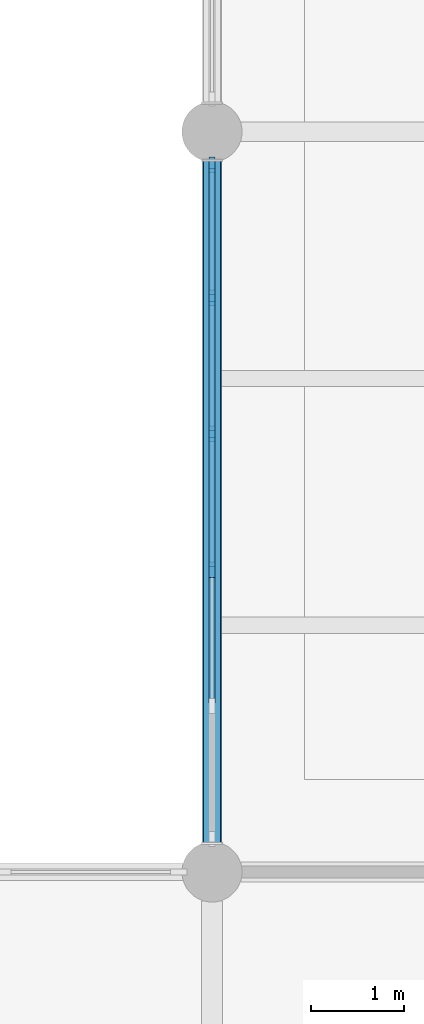
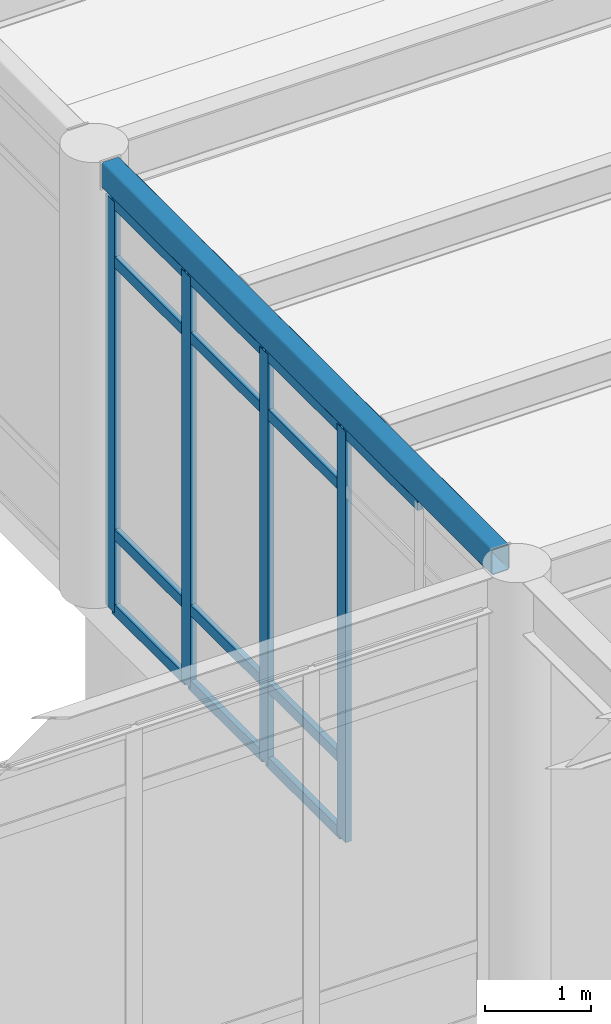
# One storey, part 30 of 138: 17 members, 1 beam, 1 element without a shape of its own.
"""IFC4 building model written with IfcOpenShell, lengths in metres."""

from ifc_helpers import new_model, si_unit, direction, frame, origin, origin_2d, place, context, subcontext, project, spatial, rectangle, hollow_rectangle, extrude, material, layer, layer_set, material_profile, profile_set, type_object, element, aggregate, save


model = new_model("IFC4")

# Units and contexts
model_context = context("Model", 3, precision=1e-05, world=origin(), true_north=direction((0.0, 1.0)))
body_context = subcontext(model_context, "Body", "Model", "MODEL_VIEW")
ifc_project = project(units=[si_unit("LENGTHUNIT", "METRE"), si_unit("AREAUNIT", "SQUARE_METRE"), si_unit("VOLUMEUNIT", "CUBIC_METRE"), si_unit("PLANEANGLEUNIT", "RADIAN"), si_unit("MASSUNIT", "GRAM", prefix="KILO")], contexts=[model_context])

# Site, building, storey
site_placement = place(None, origin())
site = spatial("IfcSite", under=ifc_project, at=site_placement, CompositionType="ELEMENT")
building_placement = place(site_placement, origin())
building = spatial("IfcBuilding", under=site, at=building_placement, Name="Kranzveld Transit Interchange", CompositionType="ELEMENT")
storey_placement = place(building_placement, origin())
storey = spatial("IfcBuildingStorey", under=building, at=storey_placement, Name="L00", CompositionType="ELEMENT", Elevation=0.0)

# Curtain wall, members
ifc_material_1 = material(Name="Bronze-anodised thermally broken aluminium", Category="aluminium")
ifc_layer = layer(ifc_material_1, 0.1650390625)
ifc_layer_set = layer_set([ifc_layer], Name="Bronze-anodised thermally broken aluminium")
curtain_wall_type = type_object("IfcCurtainWallType", Name="Sunny Court Arcade Curtain Wall CW-2", PredefinedType="USERDEFINED", material=ifc_layer_set)
curtain_wall_placement = place(storey_placement, origin())
curtain_wall = element("IfcCurtainWall", 1, at=curtain_wall_placement, inside=storey, type_object=curtain_wall_type, Name="L00 Curtain Wall 08/H-08/J", ObjectType="CURTAIN WALL", PredefinedType="USERDEFINED")
ifc_material_2 = material(Name="Bronze-anodised thermally broken aluminium", Category="aluminium")
ifc_material_profile_1 = material_profile(ifc_material_2, rectangle(XDim=0.06494140625, YDim=0.1650390625, at=origin_2d()), Name="ALU MULLION 65x165")
ifc_profile_set_1 = profile_set([ifc_material_profile_1], Name="Bronze-anodised thermally broken aluminium")
member_type_1 = type_object("IfcMemberType", Name="Curtain Wall Mullion 65x165 Alu", PredefinedType="MULLION", material=ifc_profile_set_1)
member_1_placement = place(storey_placement, frame((58.800048828125, 59.264892578125, 0.0), z_axis=(0.0, 0.0, 1.0), x_axis=(-1.0, 0.0, 0.0)))
member_1 = element("IfcMember", 2, at=member_1_placement, type_object=member_type_1, Name="CW-2 mullion 3", PredefinedType="MULLION", context=body_context, shape_type="SweptSolid", body=[
    extrude(rectangle(XDim=0.06494140625, YDim=0.1650390625, at=origin_2d()), origin(), (0.0, 0.0, 1.0), 4.747314453125),
])
member_2_placement = place(storey_placement, frame((58.800048828125, 60.735107421875, 0.0), z_axis=(0.0, 0.0, 1.0), x_axis=(-1.0, 0.0, 0.0)))
member_2 = element("IfcMember", 3, at=member_2_placement, type_object=member_type_1, Name="CW-2 mullion 4", PredefinedType="MULLION", context=body_context, shape_type="SweptSolid", body=[
    extrude(rectangle(XDim=0.06494140625, YDim=0.1650390625, at=origin_2d()), origin(), (0.0, 0.0, 1.0), 4.747314453125),
])
member_3_placement = place(storey_placement, frame((58.800048828125, 62.205078125, 0.0), z_axis=(0.0, 0.0, 1.0), x_axis=(-1.0, 0.0, 0.0)))
member_3 = element("IfcMember", 4, at=member_3_placement, type_object=member_type_1, Name="CW-2 mullion 5", PredefinedType="MULLION", context=body_context, shape_type="SweptSolid", body=[
    extrude(rectangle(XDim=0.06494140625, YDim=0.1650390625, at=origin_2d()), origin(), (0.0, 0.0, 1.0), 4.747314453125),
])
member_4_placement = place(storey_placement, frame((58.800048828125, 63.642578125, 0.0), z_axis=(0.0, 0.0, 1.0), x_axis=(-1.0, 0.0, 0.0)))
member_4 = element("IfcMember", 5, at=member_4_placement, type_object=member_type_1, Name="CW-2 mullion 6", PredefinedType="MULLION", context=body_context, shape_type="SweptSolid", body=[
    extrude(rectangle(XDim=0.06494140625, YDim=0.1650390625, at=origin_2d()), origin(), (0.0, 0.0, 1.0), 4.747314453125),
])
ifc_material_3 = material(Name="Bronze-anodised thermally broken aluminium", Category="aluminium")
ifc_material_profile_2 = material_profile(ifc_material_3, rectangle(XDim=0.06005859375, YDim=0.125, at=origin_2d()), Name="ALU TRANSOM 60x125")
ifc_profile_set_2 = profile_set([ifc_material_profile_2], Name="Bronze-anodised thermally broken aluminium")
member_type_2 = type_object("IfcMemberType", Name="Curtain Wall Transom 60x125 Alu", PredefinedType="USERDEFINED", material=ifc_profile_set_2)
member_5_placement = place(storey_placement, frame((58.800048828125, 57.827392578125, 4.71728515625), z_axis=(0.0, 1.0, 0.0), x_axis=(-1.0, 0.0, 0.0)))
member_5 = element("IfcMember", 6, at=member_5_placement, type_object=member_type_2, Name="CW-2 transom 2.4", ObjectType="TRANSOM", PredefinedType="USERDEFINED", context=body_context, shape_type="SweptSolid", body=[
    extrude(rectangle(XDim=0.06005859375, YDim=0.125, at=origin_2d()), origin(), (0.0, 0.0, 1.0), 1.405029296875),
])
member_6_placement = place(storey_placement, frame((58.800048828125, 59.297607421875, 0.030029296875), z_axis=(0.0, 1.0, 0.0), x_axis=(-1.0, 0.0, 0.0)))
member_6 = element("IfcMember", 7, at=member_6_placement, type_object=member_type_2, Name="CW-2 transom 3.1", ObjectType="TRANSOM", PredefinedType="USERDEFINED", context=body_context, shape_type="SweptSolid", body=[
    extrude(rectangle(XDim=0.06005859375, YDim=0.125, at=origin_2d()), origin(), (0.0, 0.0, 1.0), 1.40478515625),
])
member_7_placement = place(storey_placement, frame((58.800048828125, 59.297607421875, 0.89990234375), z_axis=(0.0, 1.0, 0.0), x_axis=(-1.0, 0.0, 0.0)))
member_7 = element("IfcMember", 8, at=member_7_placement, type_object=member_type_2, Name="CW-2 transom 3.2", ObjectType="TRANSOM", PredefinedType="USERDEFINED", context=body_context, shape_type="SweptSolid", body=[
    extrude(rectangle(XDim=0.06005859375, YDim=0.125, at=origin_2d()), origin(), (0.0, 0.0, 1.0), 1.40478515625),
])
member_8_placement = place(storey_placement, frame((58.800048828125, 59.297607421875, 4.04736328125), z_axis=(0.0, 1.0, 0.0), x_axis=(-1.0, 0.0, 0.0)))
member_8 = element("IfcMember", 9, at=member_8_placement, type_object=member_type_2, Name="CW-2 transom 3.3", ObjectType="TRANSOM", PredefinedType="USERDEFINED", context=body_context, shape_type="SweptSolid", body=[
    extrude(rectangle(XDim=0.06005859375, YDim=0.125, at=origin_2d()), origin(), (0.0, 0.0, 1.0), 1.40478515625),
])
member_9_placement = place(storey_placement, frame((58.800048828125, 59.297607421875, 4.71728515625), z_axis=(0.0, 1.0, 0.0), x_axis=(-1.0, 0.0, 0.0)))
member_9 = element("IfcMember", 10, at=member_9_placement, type_object=member_type_2, Name="CW-2 transom 3.4", ObjectType="TRANSOM", PredefinedType="USERDEFINED", context=body_context, shape_type="SweptSolid", body=[
    extrude(rectangle(XDim=0.06005859375, YDim=0.125, at=origin_2d()), origin(), (0.0, 0.0, 1.0), 1.40478515625),
])
member_10_placement = place(storey_placement, frame((58.800048828125, 60.767578125, 0.030029296875), z_axis=(0.0, 1.0, 0.0), x_axis=(-1.0, 0.0, 0.0)))
member_10 = element("IfcMember", 11, at=member_10_placement, type_object=member_type_2, Name="CW-2 transom 4.1", ObjectType="TRANSOM", PredefinedType="USERDEFINED", context=body_context, shape_type="SweptSolid", body=[
    extrude(rectangle(XDim=0.06005859375, YDim=0.125, at=origin_2d()), origin(), (0.0, 0.0, 1.0), 1.405029296875),
])
member_11_placement = place(storey_placement, frame((58.800048828125, 60.767578125, 0.89990234375), z_axis=(0.0, 1.0, 0.0), x_axis=(-1.0, 0.0, 0.0)))
member_11 = element("IfcMember", 12, at=member_11_placement, type_object=member_type_2, Name="CW-2 transom 4.2", ObjectType="TRANSOM", PredefinedType="USERDEFINED", context=body_context, shape_type="SweptSolid", body=[
    extrude(rectangle(XDim=0.06005859375, YDim=0.125, at=origin_2d()), origin(), (0.0, 0.0, 1.0), 1.405029296875),
])
member_12_placement = place(storey_placement, frame((58.800048828125, 60.767578125, 4.04736328125), z_axis=(0.0, 1.0, 0.0), x_axis=(-1.0, 0.0, 0.0)))
member_12 = element("IfcMember", 13, at=member_12_placement, type_object=member_type_2, Name="CW-2 transom 4.3", ObjectType="TRANSOM", PredefinedType="USERDEFINED", context=body_context, shape_type="SweptSolid", body=[
    extrude(rectangle(XDim=0.06005859375, YDim=0.125, at=origin_2d()), origin(), (0.0, 0.0, 1.0), 1.405029296875),
])
member_13_placement = place(storey_placement, frame((58.800048828125, 60.767578125, 4.71728515625), z_axis=(0.0, 1.0, 0.0), x_axis=(-1.0, 0.0, 0.0)))
member_13 = element("IfcMember", 14, at=member_13_placement, type_object=member_type_2, Name="CW-2 transom 4.4", ObjectType="TRANSOM", PredefinedType="USERDEFINED", context=body_context, shape_type="SweptSolid", body=[
    extrude(rectangle(XDim=0.06005859375, YDim=0.125, at=origin_2d()), origin(), (0.0, 0.0, 1.0), 1.405029296875),
])
member_14_placement = place(storey_placement, frame((58.800048828125, 62.237548828125, 0.030029296875), z_axis=(0.0, 1.0, 0.0), x_axis=(-1.0, 0.0, 0.0)))
member_14 = element("IfcMember", 15, at=member_14_placement, type_object=member_type_2, Name="CW-2 transom 5.1", ObjectType="TRANSOM", PredefinedType="USERDEFINED", context=body_context, shape_type="SweptSolid", body=[
    extrude(rectangle(XDim=0.06005859375, YDim=0.125, at=origin_2d()), origin(), (0.0, 0.0, 1.0), 1.37255859375),
])
member_15_placement = place(storey_placement, frame((58.800048828125, 62.237548828125, 0.89990234375), z_axis=(0.0, 1.0, 0.0), x_axis=(-1.0, 0.0, 0.0)))
member_15 = element("IfcMember", 16, at=member_15_placement, type_object=member_type_2, Name="CW-2 transom 5.2", ObjectType="TRANSOM", PredefinedType="USERDEFINED", context=body_context, shape_type="SweptSolid", body=[
    extrude(rectangle(XDim=0.06005859375, YDim=0.125, at=origin_2d()), origin(), (0.0, 0.0, 1.0), 1.37255859375),
])
member_16_placement = place(storey_placement, frame((58.800048828125, 62.237548828125, 4.04736328125), z_axis=(0.0, 1.0, 0.0), x_axis=(-1.0, 0.0, 0.0)))
member_16 = element("IfcMember", 17, at=member_16_placement, type_object=member_type_2, Name="CW-2 transom 5.3", ObjectType="TRANSOM", PredefinedType="USERDEFINED", context=body_context, shape_type="SweptSolid", body=[
    extrude(rectangle(XDim=0.06005859375, YDim=0.125, at=origin_2d()), origin(), (0.0, 0.0, 1.0), 1.37255859375),
])
member_17_placement = place(storey_placement, frame((58.800048828125, 62.237548828125, 4.71728515625), z_axis=(0.0, 1.0, 0.0), x_axis=(-1.0, 0.0, 0.0)))
member_17 = element("IfcMember", 18, at=member_17_placement, type_object=member_type_2, Name="CW-2 transom 5.4", ObjectType="TRANSOM", PredefinedType="USERDEFINED", context=body_context, shape_type="SweptSolid", body=[
    extrude(rectangle(XDim=0.06005859375, YDim=0.125, at=origin_2d()), origin(), (0.0, 0.0, 1.0), 1.37255859375),
])
aggregate(curtain_wall, [member_1, member_2, member_3, member_4, member_5, member_6, member_7, member_8, member_9, member_10, member_11, member_12, member_13, member_14, member_15, member_16, member_17])

# Beam
ifc_material_4 = material(Name="Steel S355JR", Category="steel")
ifc_material_profile_3 = material_profile(ifc_material_4, hollow_rectangle(XDim=0.199951171875, YDim=0.300048828125, WallThickness=0.010009765625, InnerFilletRadius=0.014892578125, OuterFilletRadius=0.02490234375, at=origin_2d()), Name="RHS 300x200x10")
ifc_profile_set_3 = profile_set([ifc_material_profile_3], Name="Steel S355JR")
beam_type = type_object("IfcBeamType", Name="Edge Spandrel RHS 300x200x10 S355JR", PredefinedType="SPANDREL", material=ifc_profile_set_3)
beam_placement = place(storey_placement, frame((58.800048828125, 56.31494140625, 5.0), z_axis=(0.0, 1.0, 0.0), x_axis=(-1.0, 0.0, 0.0)))
element("IfcBeam", 19, at=beam_placement, inside=storey, type_object=beam_type, Name="L00 Girder 08/H-J", PredefinedType="SPANDREL", context=body_context, shape_type="SweptSolid", body=[
    extrude(hollow_rectangle(XDim=0.199951171875, YDim=0.300048828125, WallThickness=0.010009765625, InnerFilletRadius=0.014892578125, OuterFilletRadius=0.02490234375, at=origin_2d()), origin(), (0.0, 0.0, 1.0), 7.3701171875),
])

save(model, "model.ifc")
